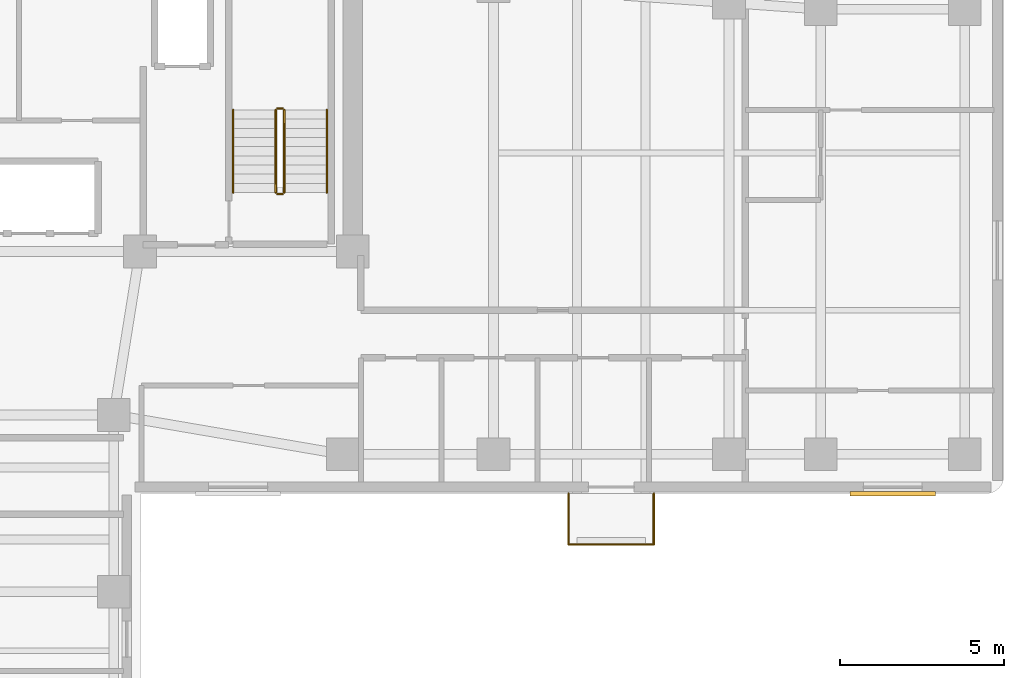
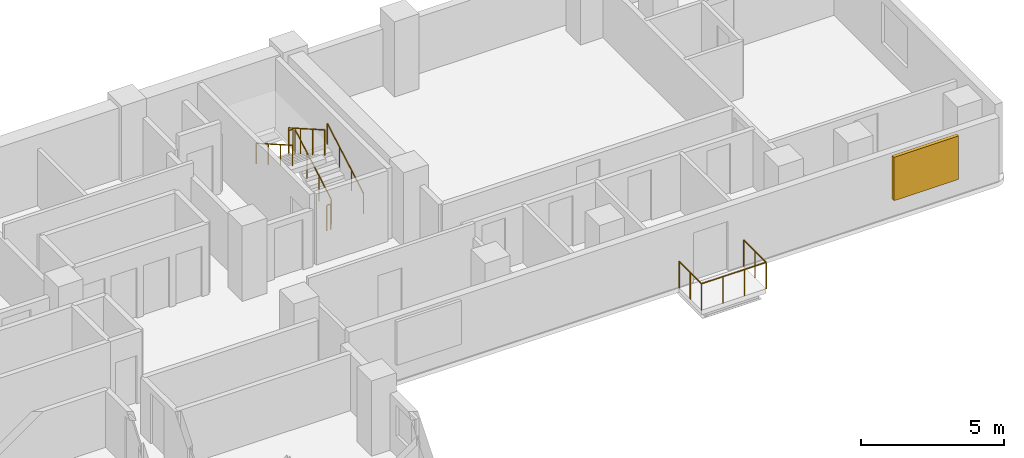
# One storey, part 7 of 7: 9 railings, 1 shading device.
"""IFC4 building model written with IfcOpenShell, lengths in metres."""

from ifc_helpers import new_model, si_unit, direction, frame, origin, origin_2d, place, context, subcontext, project, spatial, rectangle, circle, extrude, material, layer, layer_set, type_object, element, save


model = new_model("IFC4")

# Units and contexts
model_context = context("Model", 3, precision=1e-05, world=origin(), true_north=direction((0.0, 1.0)))
body_context = subcontext(model_context, "Body", "Model", "MODEL_VIEW")
ifc_project = project(units=[si_unit("LENGTHUNIT", "METRE"), si_unit("AREAUNIT", "SQUARE_METRE"), si_unit("VOLUMEUNIT", "CUBIC_METRE"), si_unit("PLANEANGLEUNIT", "RADIAN"), si_unit("MASSUNIT", "GRAM", prefix="KILO")], contexts=[model_context])

# Site, building, storey
site_placement = place(None, origin())
site = spatial("IfcSite", under=ifc_project, at=site_placement, CompositionType="ELEMENT")
building_placement = place(site_placement, origin())
building = spatial("IfcBuilding", under=site, at=building_placement, Name="Kuzgunbayir Cultural Tower", CompositionType="ELEMENT")
storey_placement = place(building_placement, frame((0.0, 0.0, 120.199951171875)))
storey = spatial("IfcBuildingStorey", under=building, at=storey_placement, Name="L34", CompositionType="ELEMENT", Elevation=120.199951171875)

# Railings
ifc_material_1 = material(Name="Laminated Glass and Stainless Steel", Category="steel")
ifc_layer_1 = layer(ifc_material_1, 0.080078125)
ifc_layer_set_1 = layer_set([ifc_layer_1], Name="Laminated Glass and Stainless Steel")
railing_type_1 = type_object("IfcRailingType", Name="RLG-BAL-115", PredefinedType="BALUSTRADE", material=ifc_layer_set_1)
railing_1_placement = place(storey_placement, frame((33.5, 26.39990234375, 0.0)))
element("IfcRailing", 1, at=railing_1_placement, inside=storey, type_object=railing_type_1, Name="L34 Balcony Guard BAL-L34-WB2 Segment 1", PredefinedType="BALUSTRADE", context=body_context, shape_type="SweptSolid", body=[
    extrude(circle(Radius=0.02392578125, at=origin_2d()), frame((0.0, 0.0, 1.1259765625), z_axis=(0.0, -1.0, 0.0), x_axis=(1.0, 0.0, 0.0)), (0.0, 0.0, 1.0), 1.559814453125),
    extrude(circle(Radius=0.02099609375, at=origin_2d()), origin(), (0.0, 0.0, 1.0), 1.101806640625),
    extrude(circle(Radius=0.02099609375, at=origin_2d()), frame((0.0, -0.77978515625, 0.0)), (0.0, 0.0, 1.0), 1.101806640625),
    extrude(circle(Radius=0.02099609375, at=origin_2d()), frame((0.0, -1.559814453125, 0.0)), (0.0, 0.0, 1.0), 1.101806640625),
])
railing_2_placement = place(storey_placement, frame((33.5, 24.840087890625, 0.0)))
element("IfcRailing", 2, at=railing_2_placement, inside=storey, type_object=railing_type_1, Name="L34 Balcony Guard BAL-L34-WB2 Segment 2", PredefinedType="BALUSTRADE", context=body_context, shape_type="SweptSolid", body=[
    extrude(circle(Radius=0.02392578125, at=origin_2d()), frame((0.0, 0.0, 1.1259765625), z_axis=(1.0, 0.0, 0.0), x_axis=(0.0, 1.0, 0.0)), (0.0, 0.0, 1.0), 2.60009765625),
    extrude(circle(Radius=0.02099609375, at=origin_2d()), origin(), (0.0, 0.0, 1.0), 1.101806640625),
    extrude(circle(Radius=0.02099609375, at=origin_2d()), frame((0.86669921875, 0.0, 0.0)), (0.0, 0.0, 1.0), 1.101806640625),
    extrude(circle(Radius=0.02099609375, at=origin_2d()), frame((1.7333984375, 0.0, 0.0)), (0.0, 0.0, 1.0), 1.101806640625),
    extrude(circle(Radius=0.02099609375, at=origin_2d()), frame((2.60009765625, 0.0, 0.0)), (0.0, 0.0, 1.0), 1.101806640625),
])
railing_3_placement = place(storey_placement, frame((36.10009765625, 24.840087890625, 0.0)))
element("IfcRailing", 3, at=railing_3_placement, inside=storey, type_object=railing_type_1, Name="L34 Balcony Guard BAL-L34-WB2 Segment 3", PredefinedType="BALUSTRADE", context=body_context, shape_type="SweptSolid", body=[
    extrude(circle(Radius=0.02392578125, at=origin_2d()), frame((0.0, 0.0, 1.1259765625), z_axis=(0.0, 1.0, 0.0), x_axis=(-1.0, 0.0, 0.0)), (0.0, 0.0, 1.0), 1.559814453125),
    extrude(circle(Radius=0.02099609375, at=origin_2d()), origin(), (0.0, 0.0, 1.0), 1.101806640625),
    extrude(circle(Radius=0.02099609375, at=origin_2d()), frame((0.0, 0.77978515625, 0.0)), (0.0, 0.0, 1.0), 1.101806640625),
    extrude(circle(Radius=0.02099609375, at=origin_2d()), frame((0.0, 1.559814453125, 0.0)), (0.0, 0.0, 1.0), 1.101806640625),
])
ifc_material_2 = material(Name="Brushed Stainless Steel", Category="steel")
ifc_layer_2 = layer(ifc_material_2, 0.050048828125)
ifc_layer_set_2 = layer_set([ifc_layer_2], Name="Brushed Stainless Steel")
railing_type_2 = type_object("IfcRailingType", Name="RLG-STAIR-HANDRAIL", PredefinedType="HANDRAIL", material=ifc_layer_set_2)
railing_4_placement = place(storey_placement, frame((26.110107421875, 35.60009765625, 0.16015625)))
element("IfcRailing", 4, at=railing_4_placement, inside=storey, type_object=railing_type_2, Name="L34 ST-2 stair handrail 1", PredefinedType="HANDRAIL", context=body_context, shape_type="SweptSolid", body=[
    extrude(circle(Radius=0.02392578125, at=origin_2d()), frame((0.0, 0.0, 0.8759765625), z_axis=(0.0, 0.868253494771, 0.496120820787), x_axis=(-1.0, 0.0, 0.0)), (0.0, 0.0, 1.0), 2.90234375),
    extrude(circle(Radius=0.02099609375, at=origin_2d()), origin(), (0.0, 0.0, 1.0), 0.851806640625),
    extrude(circle(Radius=0.02099609375, at=origin_2d()), frame((0.0, 0.840087890625, 0.47998046875)), (0.0, 0.0, 1.0), 0.851806640625),
    extrude(circle(Radius=0.02099609375, at=origin_2d()), frame((0.0, 1.679931640625, 0.9599609375)), (0.0, 0.0, 1.0), 0.851806640625),
    extrude(circle(Radius=0.02099609375, at=origin_2d()), frame((0.0, 2.52001953125, 1.43994140625)), (0.0, 0.0, 1.0), 0.851806640625),
])
railing_5_placement = place(storey_placement, frame((23.25, 38.1201171875, 1.760009765625)))
element("IfcRailing", 5, at=railing_5_placement, inside=storey, type_object=railing_type_2, Name="L34 ST-2 stair handrail 2", PredefinedType="HANDRAIL", context=body_context, shape_type="SweptSolid", body=[
    extrude(circle(Radius=0.02392578125, at=origin_2d()), frame((0.0, 0.0, 0.8759765625), z_axis=(0.0, -0.868253494771, 0.496120820787), x_axis=(1.0, 0.0, 0.0)), (0.0, 0.0, 1.0), 2.90234375),
    extrude(circle(Radius=0.02099609375, at=origin_2d()), origin(), (0.0, 0.0, 1.0), 0.851806640625),
    extrude(circle(Radius=0.02099609375, at=origin_2d()), frame((0.0, -0.840087890625, 0.47998046875)), (0.0, 0.0, 1.0), 0.851806640625),
    extrude(circle(Radius=0.02099609375, at=origin_2d()), frame((0.0, -1.679931640625, 0.9599609375)), (0.0, 0.0, 1.0), 0.851806640625),
    extrude(circle(Radius=0.02099609375, at=origin_2d()), frame((0.0, -2.52001953125, 1.43994140625)), (0.0, 0.0, 1.0), 0.851806640625),
])
ifc_material_3 = material(Name="Painted Steel Balustrade", Category="steel")
ifc_layer_3 = layer(ifc_material_3, 0.06005859375)
ifc_layer_set_3 = layer_set([ifc_layer_3], Name="Painted Steel Balustrade")
railing_type_3 = type_object("IfcRailingType", Name="RLG-WELL-GUARD", PredefinedType="GUARDRAIL", material=ifc_layer_set_3)
railing_6_placement = place(storey_placement, frame((24.81005859375, 35.60009765625, 0.16015625)))
element("IfcRailing", 6, at=railing_6_placement, inside=storey, type_object=railing_type_3, Name="L34 ST-2 stair guard 1", PredefinedType="GUARDRAIL", context=body_context, shape_type="SweptSolid", body=[
    extrude(circle(Radius=0.02392578125, at=origin_2d()), frame((0.0, 0.0, 1.076171875), z_axis=(0.0, 0.868253494771, 0.496120820787), x_axis=(-1.0, 0.0, 0.0)), (0.0, 0.0, 1.0), 2.90234375),
    extrude(circle(Radius=0.02099609375, at=origin_2d()), origin(), (0.0, 0.0, 1.0), 1.052001953125),
    extrude(circle(Radius=0.02099609375, at=origin_2d()), frame((0.0, 0.840087890625, 0.47998046875)), (0.0, 0.0, 1.0), 1.052001953125),
    extrude(circle(Radius=0.02099609375, at=origin_2d()), frame((0.0, 1.679931640625, 0.9599609375)), (0.0, 0.0, 1.0), 1.052001953125),
    extrude(circle(Radius=0.02099609375, at=origin_2d()), frame((0.0, 2.52001953125, 1.43994140625)), (0.0, 0.0, 1.0), 1.052001953125),
])
railing_7_placement = place(storey_placement, frame((24.760009765625, 38.169921875, 1.60009765625)))
element("IfcRailing", 7, at=railing_7_placement, inside=storey, type_object=railing_type_3, Name="L34 ST-2 stair guard 2", PredefinedType="GUARDRAIL", context=body_context, shape_type="SweptSolid", body=[
    extrude(circle(Radius=0.02392578125, at=origin_2d()), frame((0.0, 0.0, 1.076171875), z_axis=(-1.0, 0.0, 0.0), x_axis=(0.0, -1.0, 0.0)), (0.0, 0.0, 1.0), 0.159912109375),
    extrude(circle(Radius=0.02099609375, at=origin_2d()), origin(), (0.0, 0.0, 1.0), 1.052001953125),
    extrude(circle(Radius=0.02099609375, at=origin_2d()), frame((-0.159912109375, 0.0, 0.0)), (0.0, 0.0, 1.0), 1.052001953125),
])
railing_8_placement = place(storey_placement, frame((24.550048828125, 38.1201171875, 1.760009765625)))
element("IfcRailing", 8, at=railing_8_placement, inside=storey, type_object=railing_type_3, Name="L34 ST-2 stair guard 3", PredefinedType="GUARDRAIL", context=body_context, shape_type="SweptSolid", body=[
    extrude(circle(Radius=0.02392578125, at=origin_2d()), frame((0.0, 0.0, 1.076171875), z_axis=(0.0, -0.868253494771, 0.496120820787), x_axis=(1.0, 0.0, 0.0)), (0.0, 0.0, 1.0), 2.90234375),
    extrude(circle(Radius=0.02099609375, at=origin_2d()), origin(), (0.0, 0.0, 1.0), 1.052001953125),
    extrude(circle(Radius=0.02099609375, at=origin_2d()), frame((0.0, -0.840087890625, 0.47998046875)), (0.0, 0.0, 1.0), 1.052001953125),
    extrude(circle(Radius=0.02099609375, at=origin_2d()), frame((0.0, -1.679931640625, 0.9599609375)), (0.0, 0.0, 1.0), 1.052001953125),
    extrude(circle(Radius=0.02099609375, at=origin_2d()), frame((0.0, -2.52001953125, 1.43994140625)), (0.0, 0.0, 1.0), 1.052001953125),
])
railing_9_placement = place(storey_placement, frame((24.760009765625, 35.550048828125, 0.0)))
element("IfcRailing", 9, at=railing_9_placement, inside=storey, type_object=railing_type_3, Name="L34 ST-2 stair guard 4", PredefinedType="GUARDRAIL", context=body_context, shape_type="SweptSolid", body=[
    extrude(circle(Radius=0.02392578125, at=origin_2d()), frame((0.0, 0.0, 1.076171875), z_axis=(-1.0, 0.0, 0.0), x_axis=(0.0, -1.0, 0.0)), (0.0, 0.0, 1.0), 0.159912109375),
    extrude(circle(Radius=0.02099609375, at=origin_2d()), origin(), (0.0, 0.0, 1.0), 1.052001953125),
    extrude(circle(Radius=0.02099609375, at=origin_2d()), frame((-0.159912109375, 0.0, 0.0)), (0.0, 0.0, 1.0), 1.052001953125),
])

# Shading device
ifc_material_4 = material(Name="Perforated Bronze-Anodised Aluminium", Category="aluminium")
shading_device_type = type_object("IfcShadingDeviceType", Name="SHD-SOLAR-BRONZE", PredefinedType="JALOUSIE", material=ifc_material_4)
shading_device_placement = place(storey_placement, frame((43.39990234375, 26.39990234375, 0.735107421875), z_axis=(0.0, 0.0, 1.0), x_axis=(1.0, 0.0, 0.0)))
element("IfcShadingDevice", 10, at=shading_device_placement, inside=storey, type_object=shading_device_type, Name="L34 Solar Screen WBS11", PredefinedType="JALOUSIE", context=body_context, shape_type="SweptSolid", body=[
    extrude(rectangle(XDim=2.60009765625, YDim=0.139892578125, at=origin_2d()), origin(), (0.0, 0.0, 1.0), 1.85009765625),
])

save(model, "model.ifc")
